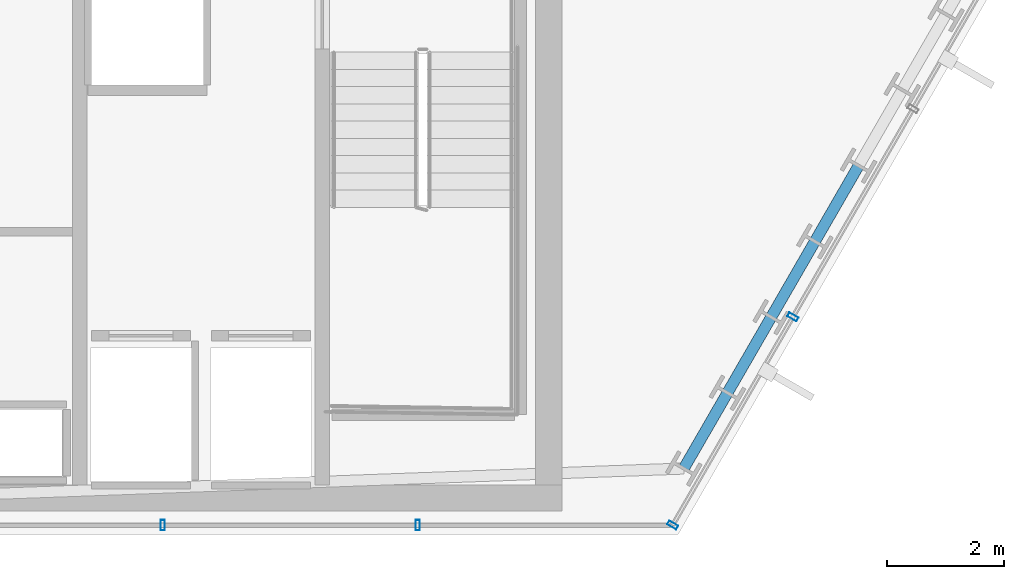
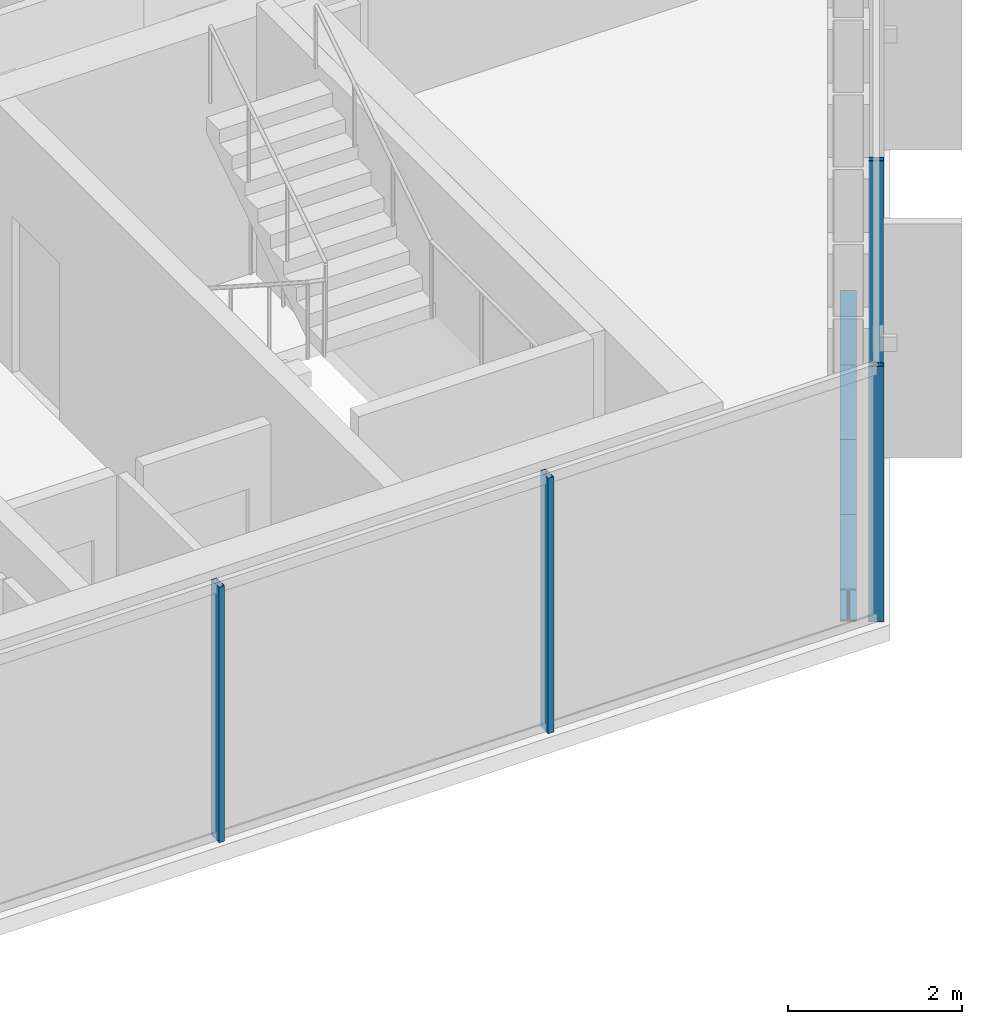
# One storey, part 15 of 32: 4 beams, 4 members, 2 elements without a shape of their own.
"""IFC4 building model written with IfcOpenShell, lengths in metres."""

from ifc_helpers import new_model, si_unit, direction, frame, origin, origin_2d, place, context, subcontext, project, spatial, hollow_rectangle, i_section, extrude, material, layer, layer_set, material_profile, profile_set, type_object, element, aggregate, save


model = new_model("IFC4")

# Units and contexts
model_context = context("Model", 3, precision=1e-05, world=origin(), true_north=direction((0.0, 1.0)))
body_context = subcontext(model_context, "Body", "Model", "MODEL_VIEW")
ifc_project = project(units=[si_unit("LENGTHUNIT", "METRE"), si_unit("AREAUNIT", "SQUARE_METRE"), si_unit("VOLUMEUNIT", "CUBIC_METRE"), si_unit("PLANEANGLEUNIT", "RADIAN"), si_unit("MASSUNIT", "GRAM", prefix="KILO")], contexts=[model_context])

# Site, building, storey
site_placement = place(None, origin())
site = spatial("IfcSite", under=ifc_project, at=site_placement, CompositionType="ELEMENT")
building_placement = place(site_placement, origin())
building = spatial("IfcBuilding", under=site, at=building_placement, Name="Ndaravel Arena Tower", CompositionType="ELEMENT")
storey_placement = place(building_placement, frame((0.0, 0.0, 130.800048828125)))
storey = spatial("IfcBuildingStorey", under=building, at=storey_placement, Name="L30", CompositionType="ELEMENT", Elevation=130.800048828125)

# Beams
ifc_material_1 = material(Name="Steel S355", Category="steel")
ifc_material_profile_1 = material_profile(ifc_material_1, i_section(OverallWidth=0.18994140625, OverallDepth=0.449951171875, WebThickness=0.009521484375, FlangeThickness=0.0146484375, FilletRadius=0.02099609375, at=origin_2d()), Name="IPE 450")
ifc_profile_set_1 = profile_set([ifc_material_profile_1], Name="Steel S355")
beam_type = type_object("IfcBeamType", Name="BM-SPAN-IPE450", PredefinedType="SPANDREL", material=ifc_profile_set_1)
for number, where, z_axis, x_axis, name in (
    (1, (59.6337890625, 6.127685546875, -0.445068359375), (0.500089897431, 0.865973495257, 0.0), (-0.865973495257, 0.500089897431, 0.0), "L30 Perimeter Spandrel Beam SP-02"),
    (2, (60.381591796875, 7.422607421875, -0.445068359375), (0.499896754619, 0.866085004328, 0.0), (-0.866085004328, 0.499896754619, 0.0), "L30 Perimeter Spandrel Beam SP-03"),
):
    element("IfcBeam", number, at=place(storey_placement, frame(where, z_axis=z_axis, x_axis=x_axis)), inside=storey, type_object=beam_type, Name=name, PredefinedType="SPANDREL", context=body_context, shape_type="SweptSolid", body=[
        extrude(i_section(OverallWidth=0.18994140625, OverallDepth=0.449951171875, WebThickness=0.009521484375, FlangeThickness=0.0146484375, FilletRadius=0.02099609375, at=origin_2d()), origin(), (0.0, 0.0, 1.0), 1.495361328125),
    ])
for number, where, z_axis, x_axis, name in (
    (3, (61.129150390625, 8.7177734375, -0.445068359375), (0.500019200167, 0.866014318279, 0.0), (-0.866014318279, 0.500019200167, 0.0), "L30 Perimeter Spandrel Beam SP-04"),
    (4, (61.876953125, 10.012939453125, -0.445068359375), (0.500019200167, 0.866014318279, 0.0), (-0.866014318279, 0.500019200167, 0.0), "L30 Perimeter Spandrel Beam SP-05"),
):
    element("IfcBeam", number, at=place(storey_placement, frame(where, z_axis=z_axis, x_axis=x_axis)), inside=storey, type_object=beam_type, Name=name, PredefinedType="SPANDREL", context=body_context, shape_type="SweptSolid", body=[
        extrude(i_section(OverallWidth=0.18994140625, OverallDepth=0.449951171875, WebThickness=0.009521484375, FlangeThickness=0.0146484375, FilletRadius=0.02099609375, at=origin_2d()), origin(), (0.0, 0.0, 1.0), 1.49560546875),
    ])

# Curtain wall, members
ifc_material_2 = material(Name="Aluminium", Category="aluminium")
ifc_layer_1 = layer(ifc_material_2, 0.179931640625)
ifc_layer_set_1 = layer_set([ifc_layer_1], Name="Aluminium")
curtain_wall_type_1 = type_object("IfcCurtainWallType", Name="CW-SYS-03", PredefinedType="NOTDEFINED", material=ifc_layer_set_1)
curtain_wall_1_placement = place(storey_placement, origin())
curtain_wall_1 = element("IfcCurtainWall", 5, at=curtain_wall_1_placement, inside=storey, type_object=curtain_wall_type_1, Name="L30 Faceted Crystal Curtain Wall CW-L30-E01", PredefinedType="NOTDEFINED")
ifc_material_3 = material(Name="Aluminium", Category="aluminium")
ifc_material_profile_2 = material_profile(ifc_material_3, hollow_rectangle(XDim=0.074951171875, YDim=0.179931640625, WallThickness=0.00390625, at=origin_2d()), Name="CW MULLION 75x180x4")
ifc_profile_set_2 = profile_set([ifc_material_profile_2], Name="Aluminium")
member_type = type_object("IfcMemberType", Name="MEM-CW-MUL180", PredefinedType="MULLION", material=ifc_profile_set_2)
member_1_placement = place(storey_placement, frame((50.722412109375, 5.159912109375, 0.0), z_axis=(0.0, 0.0, 1.0), x_axis=(1.0, 0.0, 0.0)))
member_1 = element("IfcMember", 6, at=member_1_placement, type_object=member_type, Name="CW-L30-E01 Mullion 06", PredefinedType="MULLION", context=body_context, shape_type="SweptSolid", body=[
    extrude(hollow_rectangle(XDim=0.074951171875, YDim=0.179931640625, WallThickness=0.00390625, at=origin_2d()), origin(), (0.0, 0.0, 1.0), 3.579833984375),
])
member_2_placement = place(storey_placement, frame((55.08349609375, 5.159912109375, 0.0), z_axis=(0.0, 0.0, 1.0), x_axis=(1.0, 0.0, 0.0)))
member_2 = element("IfcMember", 7, at=member_2_placement, type_object=member_type, Name="CW-L30-E01 Mullion 07", PredefinedType="MULLION", context=body_context, shape_type="SweptSolid", body=[
    extrude(hollow_rectangle(XDim=0.074951171875, YDim=0.179931640625, WallThickness=0.00390625, at=origin_2d()), origin(), (0.0, 0.0, 1.0), 3.579833984375),
])
aggregate(curtain_wall_1, [member_1, member_2])

ifc_material_4 = material(Name="Aluminium", Category="aluminium")
ifc_layer_2 = layer(ifc_material_4, 0.179931640625)
ifc_layer_set_2 = layer_set([ifc_layer_2], Name="Aluminium")
curtain_wall_type_2 = type_object("IfcCurtainWallType", Name="CW-SYS-01", PredefinedType="NOTDEFINED", material=ifc_layer_set_2)
curtain_wall_2_placement = place(storey_placement, origin())
curtain_wall_2 = element("IfcCurtainWall", 8, at=curtain_wall_2_placement, inside=storey, type_object=curtain_wall_type_2, Name="L30 Faceted Crystal Curtain Wall CW-L30-E02", PredefinedType="NOTDEFINED")
member_3_placement = place(storey_placement, frame((59.444580078125, 5.159912109375, 0.0), z_axis=(0.0, 0.0, 1.0), x_axis=(0.5, 0.866025403784, 0.0)))
member_3 = element("IfcMember", 9, at=member_3_placement, type_object=member_type, Name="CW-L30-E02 Mullion 00", PredefinedType="MULLION", context=body_context, shape_type="SweptSolid", body=[
    extrude(hollow_rectangle(XDim=0.074951171875, YDim=0.179931640625, WallThickness=0.00390625, at=origin_2d()), origin(), (0.0, 0.0, 1.0), 3.579833984375),
])
member_4_placement = place(storey_placement, frame((61.500244140625, 8.720458984375, 0.0), z_axis=(0.0, 0.0, 1.0), x_axis=(0.5, 0.866025403784, 0.0)))
member_4 = element("IfcMember", 10, at=member_4_placement, type_object=member_type, Name="CW-L30-E02 Mullion 01", PredefinedType="MULLION", context=body_context, shape_type="SweptSolid", body=[
    extrude(hollow_rectangle(XDim=0.074951171875, YDim=0.179931640625, WallThickness=0.00390625, at=origin_2d()), origin(), (0.0, 0.0, 1.0), 3.579833984375),
])
aggregate(curtain_wall_2, [member_3, member_4])

save(model, "model.ifc")
